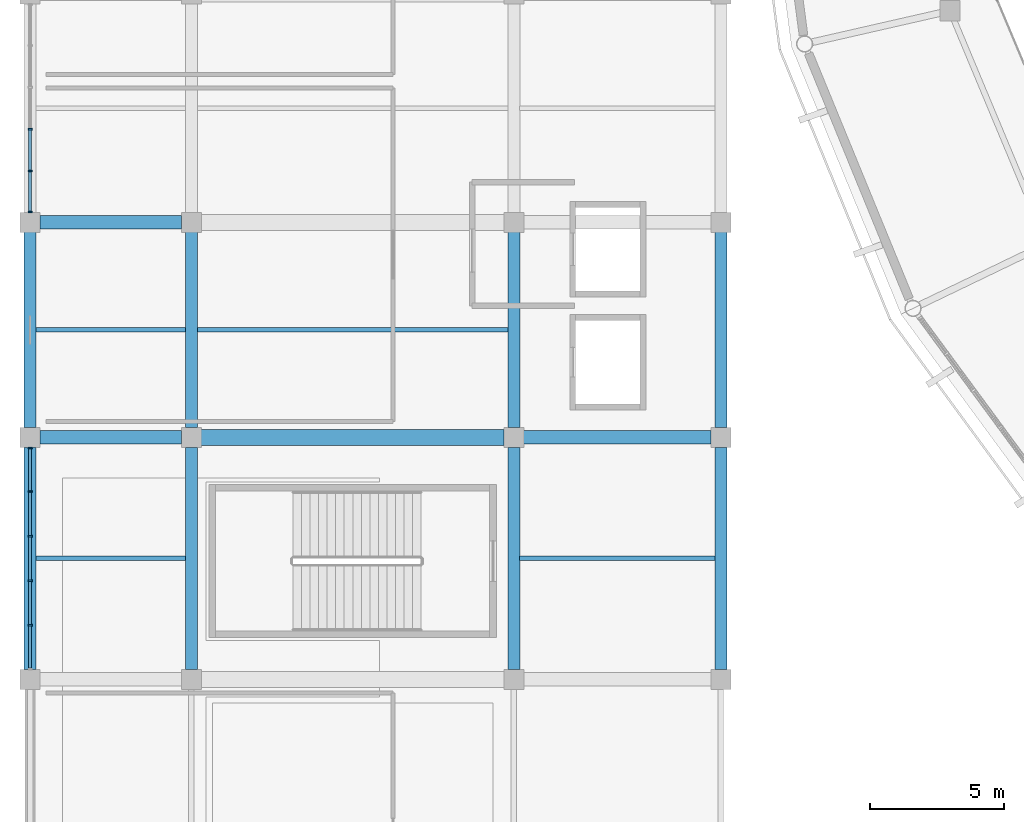
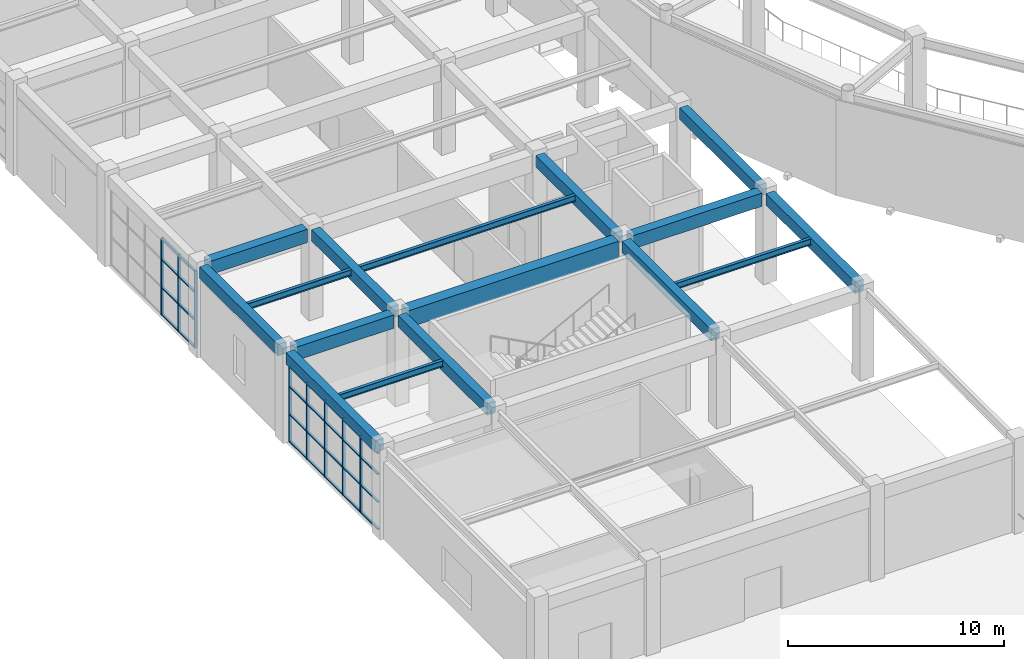
# One storey, part 14 of 70: 36 members, 16 beams, 2 elements without a shape of their own.
"""IFC4 building model written with IfcOpenShell, lengths in metres."""

import ifcopenshell
import ifcopenshell.guid

model = None  # the IFC model being written
_history = None  # IfcOwnerHistory: only IFC2X3 demands one
_inside = {}  # id of a spatial element -> (the spatial element, [elements in it])
_under = {}  # id of a project, library or spatial element -> (it, [spatial elements below it])
_declared = {}  # id of a project -> (the project, [libraries it declares])
_typed = {}  # id of a type object -> (the type object, [elements of that type])
_made_of = {}  # id of a material, layer set ... -> (it, [elements and type objects made of it])


def new_model(schema):
    """Start an empty IFC model of exactly this schema.

    Asked for "IFC4X3", IfcOpenShell would pick the latest addendum, in which some entities
    have other attributes; the version numbers below select the first issue.
    IFC2X3 requires an IfcOwnerHistory on every rooted entity: one is made here for all.
    """
    global model, _history
    if schema == "IFC4X3":
        model = ifcopenshell.file(schema_version=(4, 3, 0, 0))
    else:
        model = ifcopenshell.file(schema=schema)
    _inside.clear()
    _under.clear()
    _declared.clear()
    _typed.clear()
    _made_of.clear()
    _history = None
    if model.schema == "IFC2X3":
        org = make("IfcOrganization", Name="unknown")
        user = make(
            "IfcPersonAndOrganization",
            ThePerson=make("IfcPerson", FamilyName="unknown"),
            TheOrganization=org,
        )
        app = make(
            "IfcApplication",
            ApplicationDeveloper=org,
            Version="unknown",
            ApplicationFullName="unknown",
            ApplicationIdentifier="unknown",
        )
        _history = make(
            "IfcOwnerHistory",
            OwningUser=user,
            OwningApplication=app,
            ChangeAction="ADDED",
            CreationDate=0,
        )
    return model


def make(cls, **values):
    """One entity of the class cls with the attributes given. An attribute that is None is left unset."""
    return model.create_entity(
        cls, **{name: value for name, value in values.items() if value is not None}
    )


def rooted(cls, **values):
    """An entity with a GlobalId (a new one), such as an element, a storey or a relation."""
    return make(cls, GlobalId=ifcopenshell.guid.new(), OwnerHistory=_history, **values)


def si_unit(unit_type, name, prefix=None):
    """IfcSIUnit, for example si_unit("LENGTHUNIT", "METRE", prefix="MILLI")."""
    return make("IfcSIUnit", UnitType=unit_type, Prefix=prefix, Name=name)


def assignment(units):
    """IfcUnitAssignment: the units of a project."""
    return None if units is None else make("IfcUnitAssignment", Units=units)


def point(xyz):
    """IfcCartesianPoint."""
    return None if xyz is None else make("IfcCartesianPoint", Coordinates=xyz)


def direction(xyz):
    """IfcDirection."""
    return None if xyz is None else make("IfcDirection", DirectionRatios=xyz)


def frame(location, z_axis=None, x_axis=None):
    """IfcAxis2Placement3D, a coordinate frame: its origin and axes. An axis left out is left unset."""
    return make(
        "IfcAxis2Placement3D",
        Location=point(location),
        Axis=direction(z_axis),
        RefDirection=direction(x_axis),
    )


def frame_2d(location, x_axis=None):
    """IfcAxis2Placement2D, a coordinate frame in the plane: its origin and x axis."""
    return make(
        "IfcAxis2Placement2D", Location=point(location), RefDirection=direction(x_axis)
    )


def origin():
    """The frame at (0, 0, 0) with its axes left unset."""
    return frame((0.0, 0.0, 0.0))


def origin_2d():
    """The frame at (0, 0) in the plane with its x axis left unset."""
    return frame_2d((0.0, 0.0))


def place(relative_to, where):
    """IfcLocalPlacement: puts the frame where relative to a parent placement (None: the world)."""
    return make(
        "IfcLocalPlacement", PlacementRelTo=relative_to, RelativePlacement=where
    )


def context(
    kind, dimensions, precision=None, world=None, true_north=None, identifier=None
):
    """IfcGeometricRepresentationContext, for example the 3D "Model" context."""
    return make(
        "IfcGeometricRepresentationContext",
        ContextIdentifier=identifier,
        ContextType=kind,
        CoordinateSpaceDimension=dimensions,
        Precision=precision,
        WorldCoordinateSystem=world,
        TrueNorth=true_north,
    )


def subcontext(parent, identifier, kind, view, scale=None):
    """IfcGeometricRepresentationSubContext, for example "Body" below "Model"."""
    return make(
        "IfcGeometricRepresentationSubContext",
        ContextIdentifier=identifier,
        ContextType=kind,
        ParentContext=parent,
        TargetScale=scale,
        TargetView=view,
    )


def project(units=None, contexts=None):
    """IfcProject with its units and contexts."""
    return rooted(
        "IfcProject",
        Name="project",
        RepresentationContexts=contexts,
        UnitsInContext=assignment(units),
    )


def spatial(cls, under=None, at=None, **own):
    """A site, building, storey or space (cls), placed at a placement, below another one or the project."""
    s = rooted(cls, ObjectPlacement=at, **own)
    if under is not None:
        _under.setdefault(under.id(), (under, []))[1].append(s)
    return s


def profile(cls, at=None, kind="AREA", **sizes):
    """A parametric profile (cls). Its sizes go by their IFC names, for example OverallWidth=200.0."""
    return make(cls, ProfileType=kind, Position=at, **sizes)


def rectangle(**sizes):
    """IfcRectangleProfileDef."""
    return profile("IfcRectangleProfileDef", **sizes)


def i_section(**sizes):
    """IfcIShapeProfileDef."""
    return profile("IfcIShapeProfileDef", **sizes)


def extrude(swept, where, along, depth):
    """IfcExtrudedAreaSolid: the profile swept, set in the frame where, extruded along a direction by depth."""
    return make(
        "IfcExtrudedAreaSolid",
        SweptArea=swept,
        Position=where,
        ExtrudedDirection=direction(along),
        Depth=depth,
    )


def shape(context_of_items, identifier, shape_type, items):
    """IfcShapeRepresentation: the items that make up one representation, for example the "Body"."""
    return make(
        "IfcShapeRepresentation",
        ContextOfItems=context_of_items,
        RepresentationIdentifier=identifier,
        RepresentationType=shape_type,
        Items=items,
    )


def material(Name=None, Category=None):
    """IfcMaterial."""
    return make("IfcMaterial", Name=Name, Category=Category)


def material_profile(
    of_material, cross_section, Name=None, Category=None, Priority=None
):
    """IfcMaterialProfile: a cross section and its material."""
    return make(
        "IfcMaterialProfile",
        Name=Name,
        Material=of_material,
        Profile=cross_section,
        Priority=Priority,
        Category=Category,
    )


def profile_set(profiles, Name=None, composite=None):
    """IfcMaterialProfileSet."""
    return make(
        "IfcMaterialProfileSet",
        Name=Name,
        MaterialProfiles=profiles,
        CompositeProfile=composite,
    )


def made_of(thing, what):
    """Note that an element or type object is made of a material, layer set ...; save() writes the relation."""
    if what is not None:
        _made_of.setdefault(what.id(), (what, []))[1].append(thing)
    return thing


def type_object(cls, material=None, **own):
    """A type object (cls), such as IfcWallType, which elements share."""
    return made_of(rooted(cls, **own), material)


def element(
    cls,
    number,
    at=None,
    inside=None,
    cuts=None,
    type_object=None,
    material=None,
    context=None,
    identifier="Body",
    shape_type=None,
    held_by="IfcProductDefinitionShape",
    body=None,
    shapes=None,
    **own,
):
    """One element of the class cls, such as IfcWall. Its Tag is "e" and its number.

    at: its placement. inside: the storey or other place that contains it. cuts: it is an
    opening in that element (IfcRelVoidsElement). A single representation is given by context,
    identifier, shape_type and body (its items); several are given by shapes. held_by: the class
    of the entity that holds the representations. save() writes the other relations.
    """
    e = rooted(cls, Tag="e%d" % number, ObjectPlacement=at, **own)
    if body is not None:
        shapes = [shape(context, identifier, shape_type, body)]
    if shapes is not None:
        e.Representation = make(held_by, Representations=shapes)
    if inside is not None:
        _inside.setdefault(inside.id(), (inside, []))[1].append(e)
    if cuts is not None:
        rooted(
            "IfcRelVoidsElement", RelatingBuildingElement=cuts, RelatedOpeningElement=e
        )
    if type_object is not None:
        _typed.setdefault(type_object.id(), (type_object, []))[1].append(e)
    return made_of(e, material)


def aggregate(whole, parts):
    """IfcRelAggregates: a whole, such as a stair, and the parts it consists of."""
    return rooted("IfcRelAggregates", RelatingObject=whole, RelatedObjects=parts)


def save(model, path):
    """Write the relations noted so far, then the file.

    IfcRelAggregates (storeys below a building ...), IfcRelContainedInSpatialStructure (elements
    in a storey), IfcRelDefinesByType, IfcRelAssociatesMaterial and IfcRelDeclares: one each for
    every whole, place, type object, material and project.
    """
    for whole, parts in _under.values():
        aggregate(whole, parts)
    for where, things in _inside.values():
        rooted(
            "IfcRelContainedInSpatialStructure",
            RelatedElements=things,
            RelatingStructure=where,
        )
    for kind, things in _typed.values():
        rooted("IfcRelDefinesByType", RelatedObjects=things, RelatingType=kind)
    for what, things in _made_of.values():
        rooted("IfcRelAssociatesMaterial", RelatedObjects=things, RelatingMaterial=what)
    for by, libraries in _declared.values():
        rooted("IfcRelDeclares", RelatingContext=by, RelatedDefinitions=libraries)
    model.write(path)


model = new_model("IFC4")

# Units and contexts
model_context = context("Model", 3, precision=1e-05, world=origin(), true_north=direction((0.0, 1.0)))
body_context = subcontext(model_context, "Body", "Model", "MODEL_VIEW")
ifc_project = project(units=[si_unit("LENGTHUNIT", "METRE"), si_unit("AREAUNIT", "SQUARE_METRE"), si_unit("VOLUMEUNIT", "CUBIC_METRE"), si_unit("PLANEANGLEUNIT", "RADIAN"), si_unit("MASSUNIT", "GRAM", prefix="KILO")], contexts=[model_context])

# Site, building, storey
site_placement = place(None, origin())
site = spatial("IfcSite", under=ifc_project, at=site_placement, CompositionType="ELEMENT")
building_placement = place(site_placement, origin())
building = spatial("IfcBuilding", under=site, at=building_placement, Name="Cuetzalor Civic Arena", CompositionType="ELEMENT")
storey_placement = place(building_placement, frame((0.0, 0.0, 21.0)))
storey = spatial("IfcBuildingStorey", under=building, at=storey_placement, Name="L04", CompositionType="ELEMENT", Elevation=21.0)

# Beams
ifc_material_1 = material(Name="Concrete C40/50", Category="concrete")
ifc_material_profile_1 = material_profile(ifc_material_1, rectangle(XDim=0.5, YDim=0.75, at=origin_2d()), Name="RC 500x750")
ifc_profile_set_1 = profile_set([ifc_material_profile_1], Name="Concrete C40/50")
beam_type_1 = type_object("IfcBeamType", Name="ConcreteFrameBeam_500x750", PredefinedType="BEAM", material=ifc_profile_set_1)
beam_1_placement = place(storey_placement, frame((-81.635009765625, -25.0, 4.7451171875), z_axis=(1.0, 0.0, 0.0), x_axis=(0.0, 1.0, 0.0)))
element("IfcBeam", 1, at=beam_1_placement, inside=storey, type_object=beam_type_1, Name="Frame Girder V4W-L04-X1095", PredefinedType="BEAM", context=body_context, shape_type="SweptSolid", body=[
    extrude(rectangle(XDim=0.5, YDim=0.75, at=origin_2d()), origin(), (0.0, 0.0, 1.0), 5.27001953125),
])
beam_2_placement = place(storey_placement, frame((-63.635009765625, -25.0, 4.7451171875), z_axis=(1.0, 0.0, 0.0), x_axis=(0.0, 1.0, 0.0)))
element("IfcBeam", 2, at=beam_2_placement, inside=storey, type_object=beam_type_1, Name="Frame Girder V4W-L04-X1097", PredefinedType="BEAM", context=body_context, shape_type="SweptSolid", body=[
    extrude(rectangle(XDim=0.5, YDim=0.75, at=origin_2d()), origin(), (0.0, 0.0, 1.0), 6.969970703125),
])
beam_3_placement = place(storey_placement, frame((-81.635009765625, -17.0, 4.7451171875), z_axis=(1.0, 0.0, 0.0), x_axis=(0.0, 1.0, 0.0)))
element("IfcBeam", 3, at=beam_3_placement, inside=storey, type_object=beam_type_1, Name="Frame Girder V4W-L04-X1098", PredefinedType="BEAM", context=body_context, shape_type="SweptSolid", body=[
    extrude(rectangle(XDim=0.5, YDim=0.75, at=origin_2d()), origin(), (0.0, 0.0, 1.0), 5.27001953125),
])
ifc_material_2 = material(Name="Concrete C40/50", Category="concrete")
ifc_material_profile_2 = material_profile(ifc_material_2, rectangle(XDim=0.60009765625, YDim=0.949951171875, at=origin_2d()), Name="RC 600x950")
ifc_profile_set_2 = profile_set([ifc_material_profile_2], Name="Concrete C40/50")
beam_type_2 = type_object("IfcBeamType", Name="ConcreteFrameBeam_600x950", PredefinedType="BEAM", material=ifc_profile_set_2)
beam_4_placement = place(storey_placement, frame((-75.635009765625, -25.0, 4.64501953125), z_axis=(1.0, 0.0, 0.0), x_axis=(0.0, 1.0, 0.0)))
element("IfcBeam", 4, at=beam_4_placement, inside=storey, type_object=beam_type_2, Name="Frame Girder V4W-L04-X1096", PredefinedType="BEAM", context=body_context, shape_type="SweptSolid", body=[
    extrude(rectangle(XDim=0.60009765625, YDim=0.949951171875, at=origin_2d()), origin(), (0.0, 0.0, 1.0), 11.27001953125),
])
ifc_material_3 = material(Name="Concrete C40/50", Category="concrete")
ifc_material_profile_3 = material_profile(ifc_material_3, rectangle(XDim=0.449951171875, YDim=0.64990234375, at=origin_2d()), Name="RC 450x650")
ifc_profile_set_3 = profile_set([ifc_material_profile_3], Name="Concrete C40/50")
beam_type_3 = type_object("IfcBeamType", Name="ConcreteTieBeam_450x650", PredefinedType="BEAM", material=ifc_profile_set_3)
beam_5_placement = place(storey_placement, frame((-82.0, -33.635009765625, 4.794921875), z_axis=(0.0, 1.0, 0.0), x_axis=(-1.0, 0.0, 0.0)))
element("IfcBeam", 5, at=beam_5_placement, inside=storey, type_object=beam_type_3, Name="Frame Girder V4W-L04-Y1117", PredefinedType="BEAM", context=body_context, shape_type="SweptSolid", body=[
    extrude(rectangle(XDim=0.449951171875, YDim=0.64990234375, at=origin_2d()), origin(), (0.0, 0.0, 1.0), 8.27001953125),
])
beam_6_placement = place(storey_placement, frame((-82.0, -24.635009765625, 4.794921875), z_axis=(0.0, 1.0, 0.0), x_axis=(-1.0, 0.0, 0.0)))
element("IfcBeam", 6, at=beam_6_placement, inside=storey, type_object=beam_type_3, Name="Frame Girder V4W-L04-Y1118", PredefinedType="BEAM", context=body_context, shape_type="SweptSolid", body=[
    extrude(rectangle(XDim=0.449951171875, YDim=0.64990234375, at=origin_2d()), origin(), (0.0, 0.0, 1.0), 7.27001953125),
])
beam_7_placement = place(storey_placement, frame((-76.0, -33.635009765625, 4.794921875), z_axis=(0.0, 1.0, 0.0), x_axis=(-1.0, 0.0, 0.0)))
element("IfcBeam", 7, at=beam_7_placement, inside=storey, type_object=beam_type_3, Name="Frame Girder V4W-L04-Y1125", PredefinedType="BEAM", context=body_context, shape_type="SweptSolid", body=[
    extrude(rectangle(XDim=0.449951171875, YDim=0.64990234375, at=origin_2d()), origin(), (0.0, 0.0, 1.0), 8.27001953125),
])
beam_8_placement = place(storey_placement, frame((-76.0, -24.635009765625, 4.794921875), z_axis=(0.0, 1.0, 0.0), x_axis=(-1.0, 0.0, 0.0)))
element("IfcBeam", 8, at=beam_8_placement, inside=storey, type_object=beam_type_3, Name="Frame Girder V4W-L04-Y1126", PredefinedType="BEAM", context=body_context, shape_type="SweptSolid", body=[
    extrude(rectangle(XDim=0.449951171875, YDim=0.64990234375, at=origin_2d()), origin(), (0.0, 0.0, 1.0), 7.27001953125),
])
beam_9_placement = place(storey_placement, frame((-64.0, -33.635009765625, 4.794921875), z_axis=(0.0, 1.0, 0.0), x_axis=(-1.0, 0.0, 0.0)))
element("IfcBeam", 9, at=beam_9_placement, inside=storey, type_object=beam_type_3, Name="Frame Girder V4W-L04-Y1133", PredefinedType="BEAM", context=body_context, shape_type="SweptSolid", body=[
    extrude(rectangle(XDim=0.449951171875, YDim=0.64990234375, at=origin_2d()), origin(), (0.0, 0.0, 1.0), 8.27001953125),
])
beam_10_placement = place(storey_placement, frame((-64.0, -24.635009765625, 4.794921875), z_axis=(0.0, 1.0, 0.0), x_axis=(-1.0, 0.0, 0.0)))
element("IfcBeam", 10, at=beam_10_placement, inside=storey, type_object=beam_type_3, Name="Frame Girder V4W-L04-Y1134", PredefinedType="BEAM", context=body_context, shape_type="SweptSolid", body=[
    extrude(rectangle(XDim=0.449951171875, YDim=0.64990234375, at=origin_2d()), origin(), (0.0, 0.0, 1.0), 7.27001953125),
])
beam_11_placement = place(storey_placement, frame((-56.300048828125, -33.635009765625, 4.794921875), z_axis=(0.0, 1.0, 0.0), x_axis=(-1.0, 0.0, 0.0)))
element("IfcBeam", 11, at=beam_11_placement, inside=storey, type_object=beam_type_3, Name="Frame Girder V4W-L04-Y1141", PredefinedType="BEAM", context=body_context, shape_type="SweptSolid", body=[
    extrude(rectangle(XDim=0.449951171875, YDim=0.64990234375, at=origin_2d()), origin(), (0.0, 0.0, 1.0), 8.27001953125),
])
beam_12_placement = place(storey_placement, frame((-56.300048828125, -24.635009765625, 4.794921875), z_axis=(0.0, 1.0, 0.0), x_axis=(-1.0, 0.0, 0.0)))
element("IfcBeam", 12, at=beam_12_placement, inside=storey, type_object=beam_type_3, Name="Frame Girder V4W-L04-Y1142", PredefinedType="BEAM", context=body_context, shape_type="SweptSolid", body=[
    extrude(rectangle(XDim=0.449951171875, YDim=0.64990234375, at=origin_2d()), origin(), (0.0, 0.0, 1.0), 7.27001953125),
])

# Curtain wall, members
ifc_material_4 = material(Name="Anodised dark bronze aluminium and low-E solar glass", Category="aluminium")
curtain_wall_type_1 = type_object("IfcCurtainWallType", Name="UnitisedCW_8300x4350", PredefinedType="USERDEFINED", material=ifc_material_4)
curtain_wall_1_placement = place(storey_placement, origin())
curtain_wall_1 = element("IfcCurtainWall", 13, at=curtain_wall_1_placement, inside=storey, type_object=curtain_wall_type_1, Name="V4W Suite Viewing Curtain Wall L04-123", ObjectType="UNITISED CURTAIN WALL", PredefinedType="USERDEFINED")
ifc_material_5 = material(Name="Anodised dark bronze aluminium", Category="aluminium")
ifc_material_profile_4 = material_profile(ifc_material_5, rectangle(XDim=0.06494140625, YDim=0.14990234375, at=origin_2d()), Name="ALU MULLION 65x150")
ifc_profile_set_4 = profile_set([ifc_material_profile_4], Name="Anodised dark bronze aluminium")
member_type_1 = type_object("IfcMemberType", Name="CurtainWallMullion_60x150", PredefinedType="MULLION", material=ifc_profile_set_4)
member_1_placement = place(storey_placement, frame((-82.0, -31.98583984375, 0.0), z_axis=(0.0, 0.0, 1.0), x_axis=(0.0, 1.0, 0.0)))
member_1 = element("IfcMember", 14, at=member_1_placement, type_object=member_type_1, Name="CW-46 mullion 2", PredefinedType="MULLION", context=body_context, shape_type="SweptSolid", body=[
    extrude(rectangle(XDim=0.06494140625, YDim=0.14990234375, at=origin_2d()), origin(), (0.0, 0.0, 1.0), 4.360107421875),
])
member_2_placement = place(storey_placement, frame((-82.0, -30.32861328125, 0.0), z_axis=(0.0, 0.0, 1.0), x_axis=(0.0, 1.0, 0.0)))
member_2 = element("IfcMember", 15, at=member_2_placement, type_object=member_type_1, Name="CW-46 mullion 3", PredefinedType="MULLION", context=body_context, shape_type="SweptSolid", body=[
    extrude(rectangle(XDim=0.06494140625, YDim=0.14990234375, at=origin_2d()), origin(), (0.0, 0.0, 1.0), 4.360107421875),
])
member_3_placement = place(storey_placement, frame((-82.0, -28.67138671875, 0.0), z_axis=(0.0, 0.0, 1.0), x_axis=(0.0, 1.0, 0.0)))
member_3 = element("IfcMember", 16, at=member_3_placement, type_object=member_type_1, Name="CW-46 mullion 4", PredefinedType="MULLION", context=body_context, shape_type="SweptSolid", body=[
    extrude(rectangle(XDim=0.06494140625, YDim=0.14990234375, at=origin_2d()), origin(), (0.0, 0.0, 1.0), 4.360107421875),
])
member_4_placement = place(storey_placement, frame((-82.0, -27.01416015625, 0.0), z_axis=(0.0, 0.0, 1.0), x_axis=(0.0, 1.0, 0.0)))
member_4 = element("IfcMember", 17, at=member_4_placement, type_object=member_type_1, Name="CW-46 mullion 5", PredefinedType="MULLION", context=body_context, shape_type="SweptSolid", body=[
    extrude(rectangle(XDim=0.06494140625, YDim=0.14990234375, at=origin_2d()), origin(), (0.0, 0.0, 1.0), 4.360107421875),
])
member_5_placement = place(storey_placement, frame((-82.0, -25.389404296875, 0.0), z_axis=(0.0, 0.0, 1.0), x_axis=(0.0, 1.0, 0.0)))
member_5 = element("IfcMember", 18, at=member_5_placement, type_object=member_type_1, Name="CW-46 mullion 6", PredefinedType="MULLION", context=body_context, shape_type="SweptSolid", body=[
    extrude(rectangle(XDim=0.06494140625, YDim=0.14990234375, at=origin_2d()), origin(), (0.0, 0.0, 1.0), 4.360107421875),
])

ifc_material_6 = material(Name="Anodised dark bronze aluminium and low-E solar glass", Category="aluminium")
curtain_wall_type_2 = type_object("IfcCurtainWallType", Name="UnitisedCW_7800x4350", PredefinedType="USERDEFINED", material=ifc_material_6)
curtain_wall_2_placement = place(storey_placement, origin())
curtain_wall_2 = element("IfcCurtainWall", 19, at=curtain_wall_2_placement, inside=storey, type_object=curtain_wall_type_2, Name="V4W Suite Viewing Curtain Wall L04-124", ObjectType="UNITISED CURTAIN WALL", PredefinedType="USERDEFINED")
member_6_placement = place(storey_placement, frame((-82.0, -16.610595703125, 0.0), z_axis=(0.0, 0.0, 1.0), x_axis=(0.0, 1.0, 0.0)))
member_6 = element("IfcMember", 20, at=member_6_placement, type_object=member_type_1, Name="CW-47 mullion 1", PredefinedType="MULLION", context=body_context, shape_type="SweptSolid", body=[
    extrude(rectangle(XDim=0.06494140625, YDim=0.14990234375, at=origin_2d()), origin(), (0.0, 0.0, 1.0), 4.360107421875),
])
member_7_placement = place(storey_placement, frame((-82.0, -15.085693359375, 0.0), z_axis=(0.0, 0.0, 1.0), x_axis=(0.0, 1.0, 0.0)))
member_7 = element("IfcMember", 21, at=member_7_placement, type_object=member_type_1, Name="CW-47 mullion 2", PredefinedType="MULLION", context=body_context, shape_type="SweptSolid", body=[
    extrude(rectangle(XDim=0.06494140625, YDim=0.14990234375, at=origin_2d()), origin(), (0.0, 0.0, 1.0), 4.360107421875),
])
member_8_placement = place(storey_placement, frame((-82.0, -13.528564453125, 0.0), z_axis=(0.0, 0.0, 1.0), x_axis=(0.0, 1.0, 0.0)))
member_8 = element("IfcMember", 22, at=member_8_placement, type_object=member_type_1, Name="CW-47 mullion 3", PredefinedType="MULLION", context=body_context, shape_type="SweptSolid", body=[
    extrude(rectangle(XDim=0.06494140625, YDim=0.14990234375, at=origin_2d()), origin(), (0.0, 0.0, 1.0), 4.360107421875),
])

# Member
ifc_material_7 = material(Name="Anodised dark bronze aluminium", Category="aluminium")
ifc_material_profile_5 = material_profile(ifc_material_7, rectangle(XDim=0.1201171875, YDim=0.06494140625, at=origin_2d()), Name="ALU TRANSOM 65x120")
ifc_profile_set_5 = profile_set([ifc_material_profile_5], Name="Anodised dark bronze aluminium")
member_type_2 = type_object("IfcMemberType", Name="CurtainWallTransom_60x120", PredefinedType="USERDEFINED", material=ifc_profile_set_5)
member_9_placement = place(storey_placement, frame((-82.0, -33.577880859375, 0.032470703125), z_axis=(0.0, 1.0, 0.0), x_axis=(-1.0, 0.0, 0.0)))
member_9 = element("IfcMember", 23, at=member_9_placement, type_object=member_type_2, Name="CW-46 transom 1.1", ObjectType="TRANSOM", PredefinedType="USERDEFINED", context=body_context, shape_type="SweptSolid", body=[
    extrude(rectangle(XDim=0.1201171875, YDim=0.06494140625, at=origin_2d()), origin(), (0.0, 0.0, 1.0), 1.5595703125),
])

member_10_placement = place(storey_placement, frame((-82.0, -33.577880859375, 1.570068359375), z_axis=(0.0, 1.0, 0.0), x_axis=(-1.0, 0.0, 0.0)))
member_10 = element("IfcMember", 24, at=member_10_placement, type_object=member_type_2, Name="CW-46 transom 1.2", ObjectType="TRANSOM", PredefinedType="USERDEFINED", context=body_context, shape_type="SweptSolid", body=[
    extrude(rectangle(XDim=0.1201171875, YDim=0.06494140625, at=origin_2d()), origin(), (0.0, 0.0, 1.0), 1.5595703125),
])

member_11_placement = place(storey_placement, frame((-82.0, -33.577880859375, 3.138916015625), z_axis=(0.0, 1.0, 0.0), x_axis=(-1.0, 0.0, 0.0)))
member_11 = element("IfcMember", 25, at=member_11_placement, type_object=member_type_2, Name="CW-46 transom 1.3", ObjectType="TRANSOM", PredefinedType="USERDEFINED", context=body_context, shape_type="SweptSolid", body=[
    extrude(rectangle(XDim=0.1201171875, YDim=0.06494140625, at=origin_2d()), origin(), (0.0, 0.0, 1.0), 1.5595703125),
])

member_12_placement = place(storey_placement, frame((-82.0, -33.577880859375, 4.327392578125), z_axis=(0.0, 1.0, 0.0), x_axis=(-1.0, 0.0, 0.0)))
member_12 = element("IfcMember", 26, at=member_12_placement, type_object=member_type_2, Name="CW-46 transom 1.4", ObjectType="TRANSOM", PredefinedType="USERDEFINED", context=body_context, shape_type="SweptSolid", body=[
    extrude(rectangle(XDim=0.1201171875, YDim=0.06494140625, at=origin_2d()), origin(), (0.0, 0.0, 1.0), 1.5595703125),
])

member_13_placement = place(storey_placement, frame((-82.0, -31.953369140625, 0.032470703125), z_axis=(0.0, 1.0, 0.0), x_axis=(-1.0, 0.0, 0.0)))
member_13 = element("IfcMember", 27, at=member_13_placement, type_object=member_type_2, Name="CW-46 transom 2.1", ObjectType="TRANSOM", PredefinedType="USERDEFINED", context=body_context, shape_type="SweptSolid", body=[
    extrude(rectangle(XDim=0.1201171875, YDim=0.06494140625, at=origin_2d()), origin(), (0.0, 0.0, 1.0), 1.59228515625),
])

member_14_placement = place(storey_placement, frame((-82.0, -31.953369140625, 1.570068359375), z_axis=(0.0, 1.0, 0.0), x_axis=(-1.0, 0.0, 0.0)))
member_14 = element("IfcMember", 28, at=member_14_placement, type_object=member_type_2, Name="CW-46 transom 2.2", ObjectType="TRANSOM", PredefinedType="USERDEFINED", context=body_context, shape_type="SweptSolid", body=[
    extrude(rectangle(XDim=0.1201171875, YDim=0.06494140625, at=origin_2d()), origin(), (0.0, 0.0, 1.0), 1.59228515625),
])

member_15_placement = place(storey_placement, frame((-82.0, -31.953369140625, 3.138916015625), z_axis=(0.0, 1.0, 0.0), x_axis=(-1.0, 0.0, 0.0)))
member_15 = element("IfcMember", 29, at=member_15_placement, type_object=member_type_2, Name="CW-46 transom 2.3", ObjectType="TRANSOM", PredefinedType="USERDEFINED", context=body_context, shape_type="SweptSolid", body=[
    extrude(rectangle(XDim=0.1201171875, YDim=0.06494140625, at=origin_2d()), origin(), (0.0, 0.0, 1.0), 1.59228515625),
])

member_16_placement = place(storey_placement, frame((-82.0, -31.953369140625, 4.327392578125), z_axis=(0.0, 1.0, 0.0), x_axis=(-1.0, 0.0, 0.0)))
member_16 = element("IfcMember", 30, at=member_16_placement, type_object=member_type_2, Name="CW-46 transom 2.4", ObjectType="TRANSOM", PredefinedType="USERDEFINED", context=body_context, shape_type="SweptSolid", body=[
    extrude(rectangle(XDim=0.1201171875, YDim=0.06494140625, at=origin_2d()), origin(), (0.0, 0.0, 1.0), 1.59228515625),
])

member_17_placement = place(storey_placement, frame((-82.0, -30.296142578125, 0.032470703125), z_axis=(0.0, 1.0, 0.0), x_axis=(-1.0, 0.0, 0.0)))
member_17 = element("IfcMember", 31, at=member_17_placement, type_object=member_type_2, Name="CW-46 transom 3.1", ObjectType="TRANSOM", PredefinedType="USERDEFINED", context=body_context, shape_type="SweptSolid", body=[
    extrude(rectangle(XDim=0.1201171875, YDim=0.06494140625, at=origin_2d()), origin(), (0.0, 0.0, 1.0), 1.59228515625),
])

member_18_placement = place(storey_placement, frame((-82.0, -30.296142578125, 1.570068359375), z_axis=(0.0, 1.0, 0.0), x_axis=(-1.0, 0.0, 0.0)))
member_18 = element("IfcMember", 32, at=member_18_placement, type_object=member_type_2, Name="CW-46 transom 3.2", ObjectType="TRANSOM", PredefinedType="USERDEFINED", context=body_context, shape_type="SweptSolid", body=[
    extrude(rectangle(XDim=0.1201171875, YDim=0.06494140625, at=origin_2d()), origin(), (0.0, 0.0, 1.0), 1.59228515625),
])

member_19_placement = place(storey_placement, frame((-82.0, -30.296142578125, 3.138916015625), z_axis=(0.0, 1.0, 0.0), x_axis=(-1.0, 0.0, 0.0)))
member_19 = element("IfcMember", 33, at=member_19_placement, type_object=member_type_2, Name="CW-46 transom 3.3", ObjectType="TRANSOM", PredefinedType="USERDEFINED", context=body_context, shape_type="SweptSolid", body=[
    extrude(rectangle(XDim=0.1201171875, YDim=0.06494140625, at=origin_2d()), origin(), (0.0, 0.0, 1.0), 1.59228515625),
])

member_20_placement = place(storey_placement, frame((-82.0, -30.296142578125, 4.327392578125), z_axis=(0.0, 1.0, 0.0), x_axis=(-1.0, 0.0, 0.0)))
member_20 = element("IfcMember", 34, at=member_20_placement, type_object=member_type_2, Name="CW-46 transom 3.4", ObjectType="TRANSOM", PredefinedType="USERDEFINED", context=body_context, shape_type="SweptSolid", body=[
    extrude(rectangle(XDim=0.1201171875, YDim=0.06494140625, at=origin_2d()), origin(), (0.0, 0.0, 1.0), 1.59228515625),
])

member_21_placement = place(storey_placement, frame((-82.0, -28.638916015625, 0.032470703125), z_axis=(0.0, 1.0, 0.0), x_axis=(-1.0, 0.0, 0.0)))
member_21 = element("IfcMember", 35, at=member_21_placement, type_object=member_type_2, Name="CW-46 transom 4.1", ObjectType="TRANSOM", PredefinedType="USERDEFINED", context=body_context, shape_type="SweptSolid", body=[
    extrude(rectangle(XDim=0.1201171875, YDim=0.06494140625, at=origin_2d()), origin(), (0.0, 0.0, 1.0), 1.59228515625),
])

member_22_placement = place(storey_placement, frame((-82.0, -28.638916015625, 1.570068359375), z_axis=(0.0, 1.0, 0.0), x_axis=(-1.0, 0.0, 0.0)))
member_22 = element("IfcMember", 36, at=member_22_placement, type_object=member_type_2, Name="CW-46 transom 4.2", ObjectType="TRANSOM", PredefinedType="USERDEFINED", context=body_context, shape_type="SweptSolid", body=[
    extrude(rectangle(XDim=0.1201171875, YDim=0.06494140625, at=origin_2d()), origin(), (0.0, 0.0, 1.0), 1.59228515625),
])

member_23_placement = place(storey_placement, frame((-82.0, -28.638916015625, 3.138916015625), z_axis=(0.0, 1.0, 0.0), x_axis=(-1.0, 0.0, 0.0)))
member_23 = element("IfcMember", 37, at=member_23_placement, type_object=member_type_2, Name="CW-46 transom 4.3", ObjectType="TRANSOM", PredefinedType="USERDEFINED", context=body_context, shape_type="SweptSolid", body=[
    extrude(rectangle(XDim=0.1201171875, YDim=0.06494140625, at=origin_2d()), origin(), (0.0, 0.0, 1.0), 1.59228515625),
])

member_24_placement = place(storey_placement, frame((-82.0, -28.638916015625, 4.327392578125), z_axis=(0.0, 1.0, 0.0), x_axis=(-1.0, 0.0, 0.0)))
member_24 = element("IfcMember", 38, at=member_24_placement, type_object=member_type_2, Name="CW-46 transom 4.4", ObjectType="TRANSOM", PredefinedType="USERDEFINED", context=body_context, shape_type="SweptSolid", body=[
    extrude(rectangle(XDim=0.1201171875, YDim=0.06494140625, at=origin_2d()), origin(), (0.0, 0.0, 1.0), 1.59228515625),
])

member_25_placement = place(storey_placement, frame((-82.0, -26.981689453125, 0.032470703125), z_axis=(0.0, 1.0, 0.0), x_axis=(-1.0, 0.0, 0.0)))
member_25 = element("IfcMember", 39, at=member_25_placement, type_object=member_type_2, Name="CW-46 transom 5.1", ObjectType="TRANSOM", PredefinedType="USERDEFINED", context=body_context, shape_type="SweptSolid", body=[
    extrude(rectangle(XDim=0.1201171875, YDim=0.06494140625, at=origin_2d()), origin(), (0.0, 0.0, 1.0), 1.5595703125),
])

member_26_placement = place(storey_placement, frame((-82.0, -26.981689453125, 1.570068359375), z_axis=(0.0, 1.0, 0.0), x_axis=(-1.0, 0.0, 0.0)))
member_26 = element("IfcMember", 40, at=member_26_placement, type_object=member_type_2, Name="CW-46 transom 5.2", ObjectType="TRANSOM", PredefinedType="USERDEFINED", context=body_context, shape_type="SweptSolid", body=[
    extrude(rectangle(XDim=0.1201171875, YDim=0.06494140625, at=origin_2d()), origin(), (0.0, 0.0, 1.0), 1.5595703125),
])

member_27_placement = place(storey_placement, frame((-82.0, -26.981689453125, 3.138916015625), z_axis=(0.0, 1.0, 0.0), x_axis=(-1.0, 0.0, 0.0)))
member_27 = element("IfcMember", 41, at=member_27_placement, type_object=member_type_2, Name="CW-46 transom 5.3", ObjectType="TRANSOM", PredefinedType="USERDEFINED", context=body_context, shape_type="SweptSolid", body=[
    extrude(rectangle(XDim=0.1201171875, YDim=0.06494140625, at=origin_2d()), origin(), (0.0, 0.0, 1.0), 1.5595703125),
])

member_28_placement = place(storey_placement, frame((-82.0, -26.981689453125, 4.327392578125), z_axis=(0.0, 1.0, 0.0), x_axis=(-1.0, 0.0, 0.0)))
member_28 = element("IfcMember", 42, at=member_28_placement, type_object=member_type_2, Name="CW-46 transom 5.4", ObjectType="TRANSOM", PredefinedType="USERDEFINED", context=body_context, shape_type="SweptSolid", body=[
    extrude(rectangle(XDim=0.1201171875, YDim=0.06494140625, at=origin_2d()), origin(), (0.0, 0.0, 1.0), 1.5595703125),
])

aggregate(curtain_wall_1, [member_1, member_2, member_3, member_4, member_5, member_9, member_10, member_11, member_12, member_13, member_14, member_15, member_16, member_17, member_18, member_19, member_20, member_21, member_22, member_23, member_24, member_25, member_26, member_27, member_28])

member_29_placement = place(storey_placement, frame((-82.0, -16.577880859375, 0.032470703125), z_axis=(0.0, 1.0, 0.0), x_axis=(-1.0, 0.0, 0.0)))
member_29 = element("IfcMember", 43, at=member_29_placement, type_object=member_type_2, Name="CW-47 transom 1.1", ObjectType="TRANSOM", PredefinedType="USERDEFINED", context=body_context, shape_type="SweptSolid", body=[
    extrude(rectangle(XDim=0.1201171875, YDim=0.06494140625, at=origin_2d()), origin(), (0.0, 0.0, 1.0), 1.45947265625),
])

member_30_placement = place(storey_placement, frame((-82.0, -16.577880859375, 1.570068359375), z_axis=(0.0, 1.0, 0.0), x_axis=(-1.0, 0.0, 0.0)))
member_30 = element("IfcMember", 44, at=member_30_placement, type_object=member_type_2, Name="CW-47 transom 1.2", ObjectType="TRANSOM", PredefinedType="USERDEFINED", context=body_context, shape_type="SweptSolid", body=[
    extrude(rectangle(XDim=0.1201171875, YDim=0.06494140625, at=origin_2d()), origin(), (0.0, 0.0, 1.0), 1.45947265625),
])

member_31_placement = place(storey_placement, frame((-82.0, -16.577880859375, 3.138916015625), z_axis=(0.0, 1.0, 0.0), x_axis=(-1.0, 0.0, 0.0)))
member_31 = element("IfcMember", 45, at=member_31_placement, type_object=member_type_2, Name="CW-47 transom 1.3", ObjectType="TRANSOM", PredefinedType="USERDEFINED", context=body_context, shape_type="SweptSolid", body=[
    extrude(rectangle(XDim=0.1201171875, YDim=0.06494140625, at=origin_2d()), origin(), (0.0, 0.0, 1.0), 1.45947265625),
])

member_32_placement = place(storey_placement, frame((-82.0, -16.577880859375, 4.327392578125), z_axis=(0.0, 1.0, 0.0), x_axis=(-1.0, 0.0, 0.0)))
member_32 = element("IfcMember", 46, at=member_32_placement, type_object=member_type_2, Name="CW-47 transom 1.4", ObjectType="TRANSOM", PredefinedType="USERDEFINED", context=body_context, shape_type="SweptSolid", body=[
    extrude(rectangle(XDim=0.1201171875, YDim=0.06494140625, at=origin_2d()), origin(), (0.0, 0.0, 1.0), 1.45947265625),
])

member_33_placement = place(storey_placement, frame((-82.0, -15.05322265625, 0.032470703125), z_axis=(0.0, 1.0, 0.0), x_axis=(-1.0, 0.0, 0.0)))
member_33 = element("IfcMember", 47, at=member_33_placement, type_object=member_type_2, Name="CW-47 transom 2.1", ObjectType="TRANSOM", PredefinedType="USERDEFINED", context=body_context, shape_type="SweptSolid", body=[
    extrude(rectangle(XDim=0.1201171875, YDim=0.06494140625, at=origin_2d()), origin(), (0.0, 0.0, 1.0), 1.4921875),
])

member_34_placement = place(storey_placement, frame((-82.0, -15.05322265625, 1.570068359375), z_axis=(0.0, 1.0, 0.0), x_axis=(-1.0, 0.0, 0.0)))
member_34 = element("IfcMember", 48, at=member_34_placement, type_object=member_type_2, Name="CW-47 transom 2.2", ObjectType="TRANSOM", PredefinedType="USERDEFINED", context=body_context, shape_type="SweptSolid", body=[
    extrude(rectangle(XDim=0.1201171875, YDim=0.06494140625, at=origin_2d()), origin(), (0.0, 0.0, 1.0), 1.4921875),
])

member_35_placement = place(storey_placement, frame((-82.0, -15.05322265625, 3.138916015625), z_axis=(0.0, 1.0, 0.0), x_axis=(-1.0, 0.0, 0.0)))
member_35 = element("IfcMember", 49, at=member_35_placement, type_object=member_type_2, Name="CW-47 transom 2.3", ObjectType="TRANSOM", PredefinedType="USERDEFINED", context=body_context, shape_type="SweptSolid", body=[
    extrude(rectangle(XDim=0.1201171875, YDim=0.06494140625, at=origin_2d()), origin(), (0.0, 0.0, 1.0), 1.4921875),
])

member_36_placement = place(storey_placement, frame((-82.0, -15.05322265625, 4.327392578125), z_axis=(0.0, 1.0, 0.0), x_axis=(-1.0, 0.0, 0.0)))
member_36 = element("IfcMember", 50, at=member_36_placement, type_object=member_type_2, Name="CW-47 transom 2.4", ObjectType="TRANSOM", PredefinedType="USERDEFINED", context=body_context, shape_type="SweptSolid", body=[
    extrude(rectangle(XDim=0.1201171875, YDim=0.06494140625, at=origin_2d()), origin(), (0.0, 0.0, 1.0), 1.4921875),
])

aggregate(curtain_wall_2, [member_6, member_7, member_8, member_29, member_30, member_31, member_32, member_33, member_34, member_35, member_36])

# Beams
ifc_material_8 = material(Name="Steel S355", Category="steel")
ifc_material_profile_6 = material_profile(ifc_material_8, i_section(OverallWidth=0.1708984375, OverallDepth=0.35498046875, WebThickness=0.007080078125, FlangeThickness=0.01171875, at=origin_2d()), Name="W360x51")
ifc_profile_set_6 = profile_set([ifc_material_profile_6], Name="Steel S355")
beam_type_4 = type_object("IfcBeamType", Name="SecondaryFloorJoist_W360", PredefinedType="JOIST", material=ifc_profile_set_6)
for number, where, z_axis, x_axis, name in (
    (51, (-81.782958984375, -29.5, 4.9423828125), (1.0, 0.0, 0.0), (0.0, 1.0, 0.0), "Secondary Floor Joist V4W-L04-0337"),
    (52, (-81.782958984375, -21.0, 4.9423828125), (1.0, 0.0, 0.0), (0.0, 1.0, 0.0), "Secondary Floor Joist V4W-L04-0338"),
):
    element("IfcBeam", number, at=place(storey_placement, frame(where, z_axis=z_axis, x_axis=x_axis)), inside=storey, type_object=beam_type_4, Name=name, PredefinedType="JOIST", context=body_context, shape_type="SweptSolid", body=[
        extrude(i_section(OverallWidth=0.1708984375, OverallDepth=0.35498046875, WebThickness=0.007080078125, FlangeThickness=0.01171875, at=origin_2d()), origin(), (0.0, 0.0, 1.0), 5.56591796875),
    ])
beam_13_placement = place(storey_placement, frame((-75.782958984375, -21.0, 4.9423828125), z_axis=(1.0, 0.0, 0.0), x_axis=(0.0, 1.0, 0.0)))
element("IfcBeam", 53, at=beam_13_placement, inside=storey, type_object=beam_type_4, Name="Secondary Floor Joist V4W-L04-0345", PredefinedType="JOIST", context=body_context, shape_type="SweptSolid", body=[
    extrude(i_section(OverallWidth=0.1708984375, OverallDepth=0.35498046875, WebThickness=0.007080078125, FlangeThickness=0.01171875, at=origin_2d()), origin(), (0.0, 0.0, 1.0), 11.56591796875),
])
beam_14_placement = place(storey_placement, frame((-63.782958984375, -29.5, 4.9423828125), z_axis=(1.0, 0.0, 0.0), x_axis=(0.0, 1.0, 0.0)))
element("IfcBeam", 54, at=beam_14_placement, inside=storey, type_object=beam_type_4, Name="Secondary Floor Joist V4W-L04-0351", PredefinedType="JOIST", context=body_context, shape_type="SweptSolid", body=[
    extrude(i_section(OverallWidth=0.1708984375, OverallDepth=0.35498046875, WebThickness=0.007080078125, FlangeThickness=0.01171875, at=origin_2d()), origin(), (0.0, 0.0, 1.0), 7.265869140625),
])

save(model, "model.ifc")
